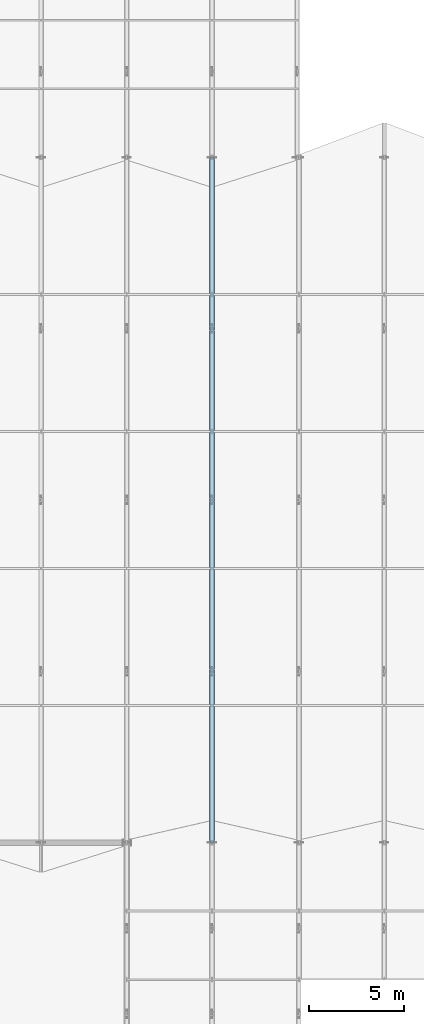
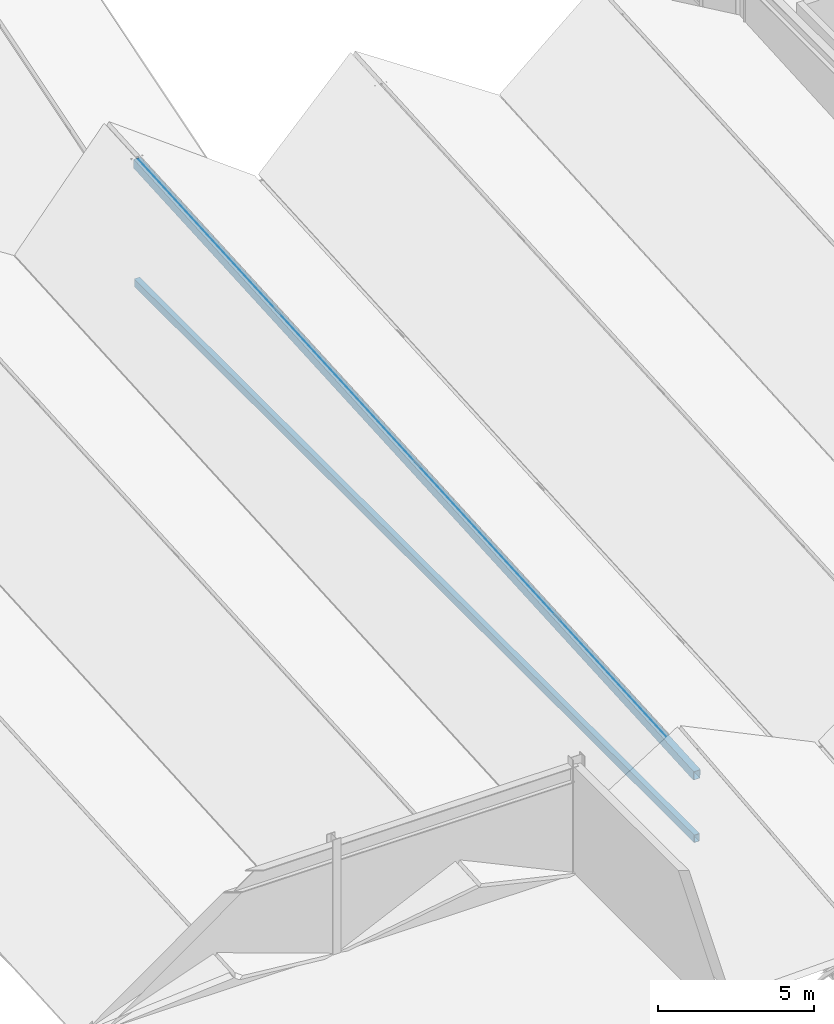
# One storey, part 39 of 142: 2 members.
"""IFC4 building model written with IfcOpenShell, lengths in metres."""

from ifc_helpers import new_model, si_unit, direction, frame, origin, origin_2d, place, context, subcontext, project, spatial, hollow_rectangle, extrude, material, material_profile, profile_set, type_object, element, save


model = new_model("IFC4")

# Units and contexts
model_context = context("Model", 3, precision=1e-05, world=origin(), true_north=direction((0.0, 1.0)))
body_context = subcontext(model_context, "Body", "Model", "MODEL_VIEW")
ifc_project = project(units=[si_unit("LENGTHUNIT", "METRE"), si_unit("AREAUNIT", "SQUARE_METRE"), si_unit("VOLUMEUNIT", "CUBIC_METRE"), si_unit("PLANEANGLEUNIT", "RADIAN"), si_unit("MASSUNIT", "GRAM", prefix="KILO")], contexts=[model_context])

# Site, building, storey
site_placement = place(None, origin())
site = spatial("IfcSite", under=ifc_project, at=site_placement, CompositionType="ELEMENT")
building_placement = place(site_placement, origin())
building = spatial("IfcBuilding", under=site, at=building_placement, Name="Montelvaro Courts of Justice", CompositionType="ELEMENT")
storey_placement = place(building_placement, frame((0.0, 0.0, 14.39990234375)))
storey = spatial("IfcBuildingStorey", under=building, at=storey_placement, Name="L03", CompositionType="ELEMENT", Elevation=14.39990234375)

# Members
ifc_material = material(Name="Steel S355", Category="steel")
ifc_material_profile_1 = material_profile(ifc_material, hollow_rectangle(XDim=0.199951171875, YDim=0.300048828125, WallThickness=0.012451171875, at=origin_2d()), Name="RHS 300x200x12.5")
ifc_profile_set_1 = profile_set([ifc_material_profile_1], Name="Steel S355")
member_type_1 = type_object("IfcMemberType", Name="Mem_RHS300_Chord", PredefinedType="CHORD", material=ifc_profile_set_1)
member_1_placement = place(storey_placement, frame((76.47509765625, 42.0, -0.2998046875), z_axis=(0.0, 1.0, 0.0), x_axis=(-1.0, 0.0, 0.0)))
element("IfcMember", 1, at=member_1_placement, inside=storey, type_object=member_type_1, Name="Roof Truss ROOF-PASSAGE-RTR03 Bottom Chord", PredefinedType="CHORD", context=body_context, shape_type="SweptSolid", body=[
    extrude(hollow_rectangle(XDim=0.199951171875, YDim=0.300048828125, WallThickness=0.012451171875, at=origin_2d()), origin(), (0.0, 0.0, 1.0), 36.0),
])
ifc_material_profile_2 = material_profile(ifc_material, hollow_rectangle(XDim=0.25, YDim=0.35009765625, WallThickness=0.012451171875, at=origin_2d()), Name="RHS 350x250x12.5")
ifc_profile_set_2 = profile_set([ifc_material_profile_2], Name="Steel S355")
member_type_2 = type_object("IfcMemberType", Name="Mem_RHS350_Chord", PredefinedType="CHORD", material=ifc_profile_set_2)
member_2_placement = place(storey_placement, frame((76.47509765625, 42.0, 2.18017578125), z_axis=(0.0, 0.998138012374, 0.060995969167), x_axis=(-1.0, 0.0, 0.0)))
element("IfcMember", 2, at=member_2_placement, inside=storey, type_object=member_type_2, Name="Roof Truss ROOF-PASSAGE-RTR03 Top Chord", PredefinedType="CHORD", context=body_context, shape_type="SweptSolid", body=[
    extrude(hollow_rectangle(XDim=0.25, YDim=0.35009765625, WallThickness=0.012451171875, at=origin_2d()), origin(), (0.0, 0.0, 1.0), 36.067138671875),
])

save(model, "model.ifc")
